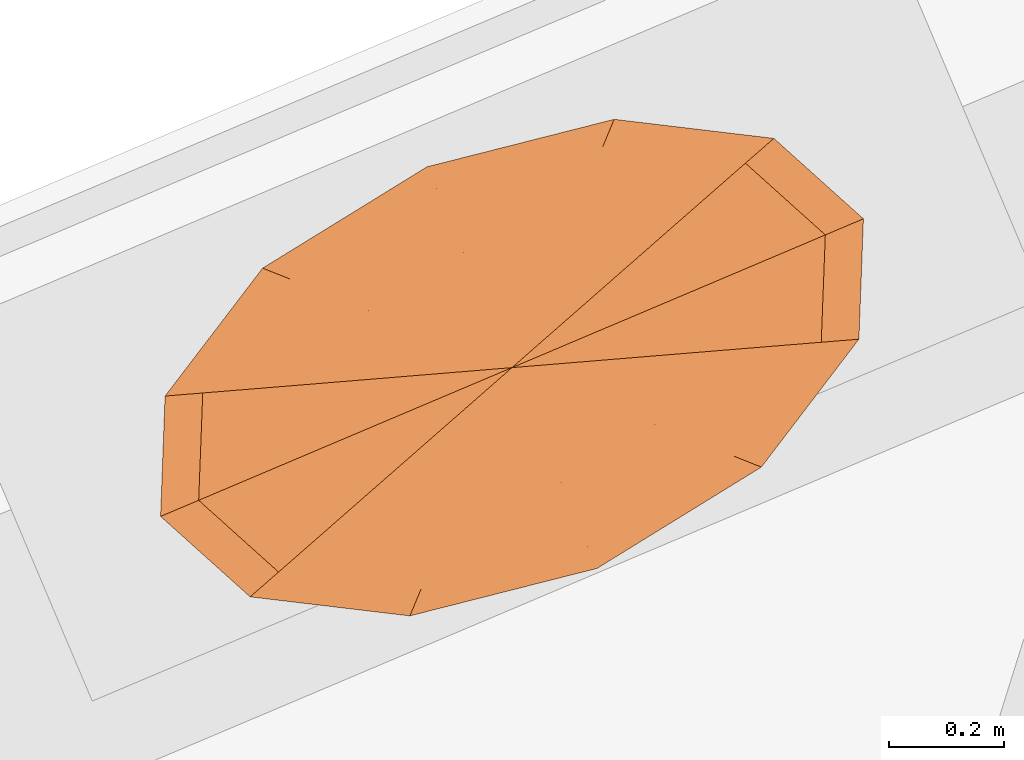
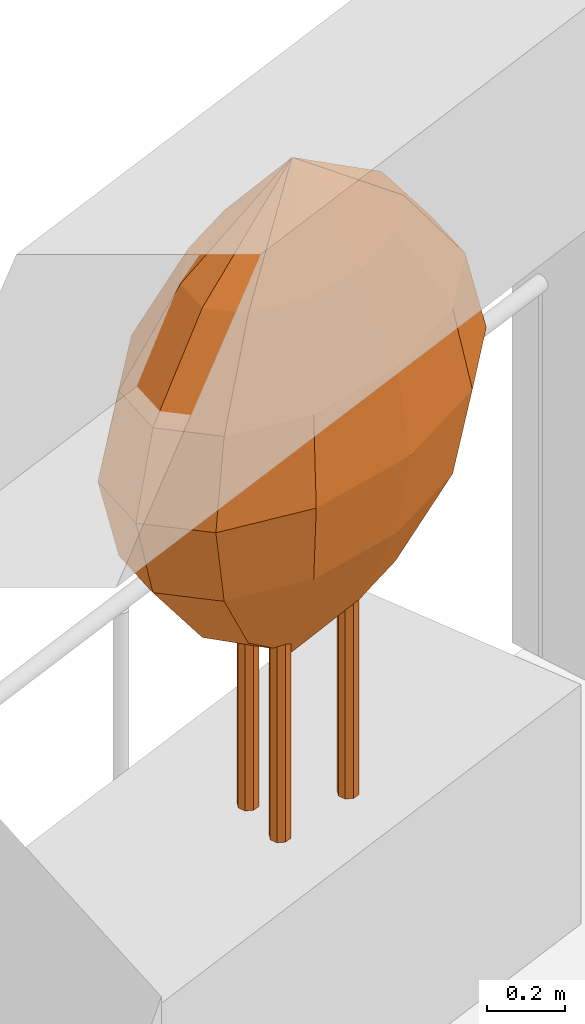
# One storey, part 12 of 12: 1 geographic element.
"""IFC4 building model written with IfcOpenShell, lengths in metres."""

from ifc_helpers import new_model, si_unit, direction, frame, origin, place, context, subcontext, project, spatial, faceted_brep, material, constituent, constituent_set, type_object, element, save


model = new_model("IFC4")

# Units and contexts
model_context = context("Model", 3, precision=1e-05, world=origin(), true_north=direction((0.0, 1.0)))
body_context = subcontext(model_context, "Body", "Model", "MODEL_VIEW")
ifc_project = project(units=[si_unit("LENGTHUNIT", "METRE"), si_unit("AREAUNIT", "SQUARE_METRE"), si_unit("VOLUMEUNIT", "CUBIC_METRE"), si_unit("PLANEANGLEUNIT", "RADIAN"), si_unit("MASSUNIT", "GRAM", prefix="KILO")], contexts=[model_context])

# Site, building, storey
site_placement = place(None, origin())
site = spatial("IfcSite", under=ifc_project, at=site_placement, CompositionType="ELEMENT")
building_placement = place(site_placement, origin())
building = spatial("IfcBuilding", under=site, at=building_placement, Name="Taillehof Tower", CompositionType="ELEMENT")
storey_placement = place(building_placement, frame((0.0, 0.0, 121.89990234375)))
storey = spatial("IfcBuildingStorey", under=building, at=storey_placement, Name="L34", CompositionType="ELEMENT", Elevation=121.89990234375)

# Geographic element
ifc_material_1 = material(Name="Tree bark", Category="timber")
ifc_constituent_1 = constituent(ifc_material_1, Name="Trunk", Category="timber")
ifc_material_2 = material(Name="Tree foliage")
ifc_constituent_2 = constituent(ifc_material_2, Name="Crown")
ifc_constituent_set = constituent_set(constituents=[ifc_constituent_1, ifc_constituent_2], Name="Tree TR3 Multi-stem serviceberry")
geographic_element_type = type_object("IfcGeographicElementType", Name="Tree TR3 Multi-stem serviceberry", PredefinedType="USERDEFINED", material=ifc_constituent_set)
geographic_element_placement = place(storey_placement, frame((-10.2216796875, 20.87890625, 0.75)))
element("IfcGeographicElement", 1, at=geographic_element_placement, inside=storey, type_object=geographic_element_type, Name="Tree TR3 Multi-stem serviceberry", ObjectType="TREE", PredefinedType="USERDEFINED", context=body_context, shape_type="Brep", body=[
    faceted_brep([(0.195068359375, 0.0, 0.0), (0.186767578125, 0.0205078125, 0.0), (0.186767578125, 0.0205078125, 1.04248046875), (0.195068359375, 0.0, 1.04248046875), (0.166259765625, 0.02880859375, 0.0), (0.166259765625, 0.02880859375, 1.04248046875), (0.145751953125, 0.0205078125, 0.0), (0.145751953125, 0.0205078125, 1.04248046875), (0.137451171875, 0.0, 0.0), (0.137451171875, 0.0, 1.04248046875), (0.145751953125, -0.0205078125, 0.0), (0.145751953125, -0.0205078125, 1.04248046875), (0.166259765625, -0.02880859375, 0.0), (0.166259765625, -0.02880859375, 1.04248046875), (0.186767578125, -0.0205078125, 0.0), (0.186767578125, -0.0205078125, 1.04248046875)], [[[0, 1, 2, 3]], [[1, 4, 5, 2]], [[4, 6, 7, 5]], [[6, 8, 9, 7]], [[8, 10, 11, 9]], [[10, 12, 13, 11]], [[12, 14, 15, 13]], [[14, 0, 3, 15]], [[14, 12, 10, 8, 6, 4, 1, 0]], [[3, 2, 5, 7, 9, 11, 13, 15]]]),
    faceted_brep([(-0.05419921875, 0.082275390625, 0.0), (-0.062744140625, 0.102783203125, 0.0), (-0.062744140625, 0.102783203125, 1.04248046875), (-0.05419921875, 0.082275390625, 1.04248046875), (-0.0830078125, 0.111083984375, 0.0), (-0.0830078125, 0.111083984375, 1.04248046875), (-0.103515625, 0.102783203125, 0.0), (-0.103515625, 0.102783203125, 1.04248046875), (-0.112060546875, 0.082275390625, 0.0), (-0.112060546875, 0.082275390625, 1.04248046875), (-0.103515625, 0.061767578125, 0.0), (-0.103515625, 0.061767578125, 1.04248046875), (-0.0830078125, 0.053466796875, 0.0), (-0.0830078125, 0.053466796875, 1.04248046875), (-0.062744140625, 0.061767578125, 0.0), (-0.062744140625, 0.061767578125, 1.04248046875)], [[[0, 1, 2, 3]], [[1, 4, 5, 2]], [[4, 6, 7, 5]], [[6, 8, 9, 7]], [[8, 10, 11, 9]], [[10, 12, 13, 11]], [[12, 14, 15, 13]], [[14, 0, 3, 15]], [[14, 12, 10, 8, 6, 4, 1, 0]], [[3, 2, 5, 7, 9, 11, 13, 15]]]),
    faceted_brep([(-0.05419921875, -0.082275390625, 0.0), (-0.062744140625, -0.061767578125, 0.0), (-0.062744140625, -0.061767578125, 1.04248046875), (-0.05419921875, -0.082275390625, 1.04248046875), (-0.0830078125, -0.053466796875, 0.0), (-0.0830078125, -0.053466796875, 1.04248046875), (-0.103515625, -0.061767578125, 0.0), (-0.103515625, -0.061767578125, 1.04248046875), (-0.112060546875, -0.082275390625, 0.0), (-0.112060546875, -0.082275390625, 1.04248046875), (-0.103515625, -0.102783203125, 0.0), (-0.103515625, -0.102783203125, 1.04248046875), (-0.0830078125, -0.111083984375, 0.0), (-0.0830078125, -0.111083984375, 1.04248046875), (-0.062744140625, -0.102783203125, 0.0), (-0.062744140625, -0.102783203125, 1.04248046875)], [[[0, 1, 2, 3]], [[1, 4, 5, 2]], [[4, 6, 7, 5]], [[6, 8, 9, 7]], [[8, 10, 11, 9]], [[10, 12, 13, 11]], [[12, 14, 15, 13]], [[14, 0, 3, 15]], [[14, 12, 10, 8, 6, 4, 1, 0]], [[3, 2, 5, 7, 9, 11, 13, 15]]]),
    faceted_brep([(0.0, 0.0, 0.5), (-0.261962890625, -0.2294921875, 0.75830078125), (-0.351806640625, -0.14892578125, 0.75830078125), (-0.10205078125, -0.24853515625, 0.75830078125), (0.085205078125, -0.200927734375, 0.75830078125), (0.24951171875, -0.099609375, 0.75830078125), (0.34716796875, 0.028564453125, 0.75830078125), (0.351806640625, 0.14892578125, 0.75830078125), (0.261962890625, 0.2294921875, 0.75830078125), (0.10205078125, 0.24853515625, 0.75830078125), (-0.085205078125, 0.200927734375, 0.75830078125), (-0.24951171875, 0.099609375, 0.75830078125), (-0.34716796875, -0.028564453125, 0.75830078125), (-0.40673828125, -0.356201171875, 1.0166015625), (-0.5458984375, -0.231201171875, 1.0166015625), (-0.158447265625, -0.3857421875, 1.0166015625), (0.132080078125, -0.31201171875, 1.0166015625), (0.38720703125, -0.154541015625, 1.0166015625), (0.538818359375, 0.044189453125, 1.0166015625), (0.5458984375, 0.231201171875, 1.0166015625), (0.40673828125, 0.356201171875, 1.0166015625), (0.158447265625, 0.3857421875, 1.0166015625), (-0.132080078125, 0.31201171875, 1.0166015625), (-0.38720703125, 0.154541015625, 1.0166015625), (-0.538818359375, -0.044189453125, 1.0166015625), (-0.456298828125, -0.3994140625, 1.27490234375), (-0.6123046875, -0.25927734375, 1.27490234375), (-0.177978515625, -0.4326171875, 1.27490234375), (0.148193359375, -0.349853515625, 1.27490234375), (0.4345703125, -0.17333984375, 1.27490234375), (0.6044921875, 0.049560546875, 1.27490234375), (0.6123046875, 0.25927734375, 1.27490234375), (0.456298828125, 0.3994140625, 1.27490234375), (0.177978515625, 0.4326171875, 1.27490234375), (-0.148193359375, 0.349853515625, 1.27490234375), (-0.4345703125, 0.17333984375, 1.27490234375), (-0.6044921875, -0.049560546875, 1.27490234375), (-0.40673828125, -0.356201171875, 1.533447265625), (-0.5458984375, -0.231201171875, 1.533447265625), (-0.158447265625, -0.3857421875, 1.533447265625), (0.132080078125, -0.31201171875, 1.533447265625), (0.38720703125, -0.154541015625, 1.533447265625), (0.538818359375, 0.044189453125, 1.533447265625), (0.5458984375, 0.231201171875, 1.533447265625), (0.40673828125, 0.356201171875, 1.533447265625), (0.158447265625, 0.3857421875, 1.533447265625), (-0.132080078125, 0.31201171875, 1.533447265625), (-0.38720703125, 0.154541015625, 1.533447265625), (-0.538818359375, -0.044189453125, 1.533447265625), (-0.261962890625, -0.2294921875, 1.791748046875), (-0.351806640625, -0.14892578125, 1.791748046875), (-0.10205078125, -0.24853515625, 1.791748046875), (0.085205078125, -0.200927734375, 1.791748046875), (0.24951171875, -0.099609375, 1.791748046875), (0.34716796875, 0.028564453125, 1.791748046875), (0.351806640625, 0.14892578125, 1.791748046875), (0.261962890625, 0.2294921875, 1.791748046875), (0.10205078125, 0.24853515625, 1.791748046875), (-0.085205078125, 0.200927734375, 1.791748046875), (-0.24951171875, 0.099609375, 1.791748046875), (-0.34716796875, -0.028564453125, 1.791748046875), (0.0, 0.0, 2.050048828125)], [[[0, 1, 2]], [[0, 3, 1]], [[0, 4, 3]], [[0, 5, 4]], [[0, 6, 5]], [[0, 7, 6]], [[0, 8, 7]], [[0, 9, 8]], [[0, 10, 9]], [[0, 11, 10]], [[0, 12, 11]], [[0, 2, 12]], [[2, 1, 13, 14]], [[1, 3, 15, 13]], [[3, 4, 16, 15]], [[4, 5, 17, 16]], [[5, 6, 18, 17]], [[6, 7, 19, 18]], [[7, 8, 20, 19]], [[8, 9, 21, 20]], [[9, 10, 22, 21]], [[10, 11, 23, 22]], [[11, 12, 24, 23]], [[12, 2, 14, 24]], [[14, 13, 25, 26]], [[13, 15, 27, 25]], [[15, 16, 28, 27]], [[16, 17, 29, 28]], [[17, 18, 30, 29]], [[18, 19, 31, 30]], [[19, 20, 32, 31]], [[20, 21, 33, 32]], [[21, 22, 34, 33]], [[22, 23, 35, 34]], [[23, 24, 36, 35]], [[24, 14, 26, 36]], [[26, 25, 37, 38]], [[25, 27, 39, 37]], [[27, 28, 40, 39]], [[28, 29, 41, 40]], [[29, 30, 42, 41]], [[30, 31, 43, 42]], [[31, 32, 44, 43]], [[32, 33, 45, 44]], [[33, 34, 46, 45]], [[34, 35, 47, 46]], [[35, 36, 48, 47]], [[36, 26, 38, 48]], [[38, 37, 49, 50]], [[37, 39, 51, 49]], [[39, 40, 52, 51]], [[40, 41, 53, 52]], [[41, 42, 54, 53]], [[42, 43, 55, 54]], [[43, 44, 56, 55]], [[44, 45, 57, 56]], [[45, 46, 58, 57]], [[46, 47, 59, 58]], [[47, 48, 60, 59]], [[48, 38, 50, 60]], [[50, 49, 61]], [[49, 51, 61]], [[51, 52, 61]], [[52, 53, 61]], [[53, 54, 61]], [[54, 55, 61]], [[55, 56, 61]], [[56, 57, 61]], [[57, 58, 61]], [[58, 59, 61]], [[59, 60, 61]], [[60, 50, 61]]]),
])

save(model, "model.ifc")
